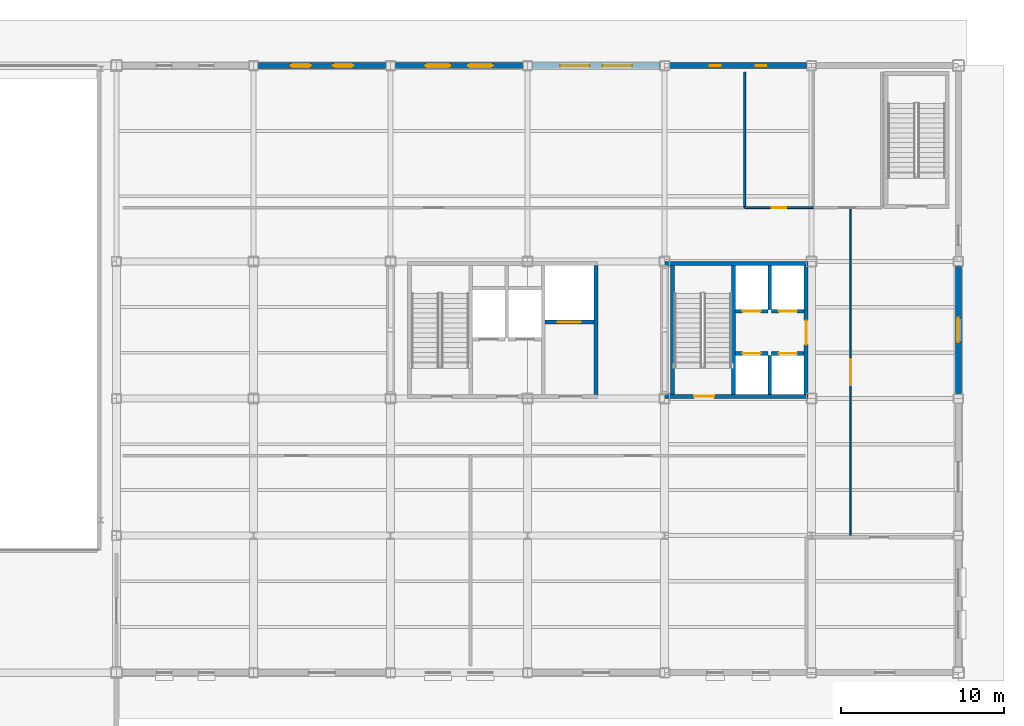
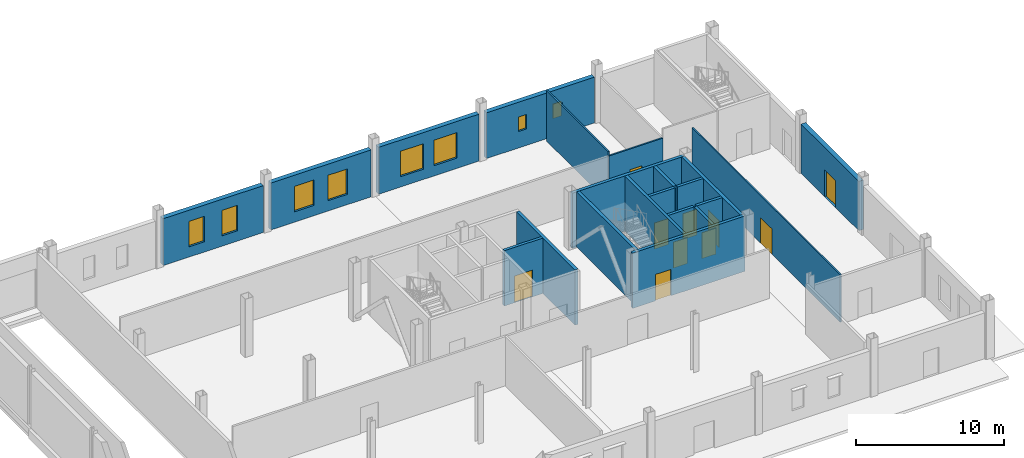
# One storey, part 59 of 82: 21 walls, 10 doors, 8 windows, 18 openings.
"""IFC4 building model written with IfcOpenShell, lengths in metres."""

from ifc_helpers import new_model, si_unit, direction, frame, frame_2d, origin, place, context, subcontext, project, spatial, rectangle, extrude, material, layer, layer_set, type_object, element, fill, save


model = new_model("IFC4")

# Units and contexts
model_context = context("Model", 3, precision=1e-05, world=origin(), true_north=direction((0.0, 1.0)))
body_context = subcontext(model_context, "Body", "Model", "MODEL_VIEW")
ifc_project = project(units=[si_unit("LENGTHUNIT", "METRE"), si_unit("AREAUNIT", "SQUARE_METRE"), si_unit("VOLUMEUNIT", "CUBIC_METRE"), si_unit("PLANEANGLEUNIT", "RADIAN"), si_unit("MASSUNIT", "GRAM", prefix="KILO")], contexts=[model_context])

# Site, building, storey
site_placement = place(None, origin())
site = spatial("IfcSite", under=ifc_project, at=site_placement, CompositionType="ELEMENT")
building_placement = place(site_placement, origin())
building = spatial("IfcBuilding", under=site, at=building_placement, Name="Yukiwa Park Conservatory and Herbarium", CompositionType="ELEMENT")
storey_placement = place(building_placement, origin())
storey = spatial("IfcBuildingStorey", under=building, at=storey_placement, Name="L00", CompositionType="ELEMENT", Elevation=0.0)

# Wall, opening, door
ifc_material_1 = material(Name="Concrete C40", Category="concrete")
ifc_layer_1 = layer(ifc_material_1, 0.219970703125)
ifc_layer_set_1 = layer_set([ifc_layer_1], Name="Concrete C40")
wall_type_1 = type_object("IfcWallType", Name="WL-CORE-RC220", PredefinedType="SHEAR", material=ifc_layer_set_1)
wall_1_placement = place(storey_placement, frame((142.659912109375, 99.489990234375, 0.0), z_axis=(0.0, 0.0, 1.0), x_axis=(1.0, 0.0, 0.0)))
wall_1 = element("IfcWall", 1, at=wall_1_placement, inside=storey, type_object=wall_type_1, Name="L00 core shear wall 81", PredefinedType="SHEAR", context=body_context, shape_type="SweptSolid", body=[
    extrude(rectangle(XDim=3.0, YDim=0.219970703125, at=frame_2d((1.5, 0.0))), origin(), (0.0, 0.0, 1.0), 4.56005859375),
])
opening_1_placement = place(wall_1_placement, frame((0.800048828125, 0.0, 0.0)))
opening_1 = element("IfcOpeningElement", 2, at=opening_1_placement, cuts=wall_1, Name="Opening LD-02", PredefinedType="OPENING", context=body_context, shape_type="SweptSolid", body=[
    extrude(rectangle(XDim=1.39990234375, YDim=2.199951171875, at=frame_2d((0.699951171875, 1.10009765625))), frame((0.0, 0.1201171875, 0.0), z_axis=(0.0, -1.0, 0.0), x_axis=(1.0, 0.0, 0.0)), (0.0, 0.0, 1.0), 0.239990234375),
])
ifc_material_2 = material(Name="Steel Q235B", Category="steel")
door_type_1 = type_object("IfcDoorType", Name="DR-LIFT-LD1400", OperationType="SLIDING_TO_LEFT", PredefinedType="DOOR", material=ifc_material_2)
door_1_placement = place(opening_1_placement, origin())
door_1 = element("IfcDoor", 3, at=door_1_placement, inside=storey, type_object=door_type_1, Name="L00 Goods Lift GL1 sliding landing door", OperationType="SLIDING_TO_LEFT", OverallHeight=2.199951171875, OverallWidth=1.39990234375, PredefinedType="DOOR", context=body_context, shape_type="SweptSolid", body=[
    extrude(rectangle(XDim=1.39990234375, YDim=2.199951171875, at=frame_2d((0.699951171875, 1.10009765625))), frame((0.0, 0.02490234375, 0.0), z_axis=(0.0, -1.0, 0.0), x_axis=(1.0, 0.0, 0.0)), (0.0, 0.0, 1.0), 0.050048828125),
])
fill(opening_1, door_1)

# Walls
wall_2_placement = place(storey_placement, frame((154.219970703125, 95.050048828125, 0.0), z_axis=(0.0, 0.0, 1.0), x_axis=(0.0, 1.0, 0.0)))
element("IfcWall", 4, at=wall_2_placement, inside=storey, type_object=wall_type_1, Name="L00 core shear wall 85", PredefinedType="SHEAR", context=body_context, shape_type="SweptSolid", body=[
    extrude(rectangle(XDim=7.89990234375, YDim=0.219970703125, at=frame_2d((3.949951171875, 0.0))), origin(), (0.0, 0.0, 1.0), 4.56005859375),
])
wall_3_placement = place(storey_placement, frame((156.43994140625, 100.25, 0.0), z_axis=(0.0, 0.0, 1.0), x_axis=(0.0, 1.0, 0.0)))
element("IfcWall", 5, at=wall_3_placement, inside=storey, type_object=wall_type_1, Name="L00 core shear wall 87", PredefinedType="SHEAR", context=body_context, shape_type="SweptSolid", body=[
    extrude(rectangle(XDim=2.699951171875, YDim=0.219970703125, at=frame_2d((1.35009765625, 0.0))), origin(), (0.0, 0.0, 1.0), 4.56005859375),
])

# Wall, opening, door
wall_4_placement = place(storey_placement, frame((154.330078125, 100.139892578125, 0.0), z_axis=(0.0, 0.0, 1.0), x_axis=(1.0, 0.0, 0.0)))
wall_4 = element("IfcWall", 6, at=wall_4_placement, inside=storey, type_object=wall_type_1, Name="L00 core shear wall 88", PredefinedType="SHEAR", context=body_context, shape_type="SweptSolid", body=[
    extrude(rectangle(XDim=2.0, YDim=0.219970703125, at=frame_2d((1.0, 0.0))), origin(), (0.0, 0.0, 1.0), 4.56005859375),
])
opening_2_placement = place(wall_4_placement, frame((0.449951171875, 0.0, 0.0)))
opening_2 = element("IfcOpeningElement", 7, at=opening_2_placement, cuts=wall_4, Name="Opening LD-01", PredefinedType="OPENING", context=body_context, shape_type="SweptSolid", body=[
    extrude(rectangle(XDim=1.10009765625, YDim=2.14990234375, at=frame_2d((0.550048828125, 1.074951171875))), frame((0.0, 0.1201171875, 0.0), z_axis=(0.0, -1.0, 0.0), x_axis=(1.0, 0.0, 0.0)), (0.0, 0.0, 1.0), 0.239990234375),
])
ifc_material_3 = material(Name="Steel Q235B", Category="steel")
door_type_2 = type_object("IfcDoorType", Name="DR-LIFT-LD1100", OperationType="SLIDING_TO_LEFT", PredefinedType="DOOR", material=ifc_material_3)
door_2_placement = place(opening_2_placement, origin())
door_2 = element("IfcDoor", 8, at=door_2_placement, inside=storey, type_object=door_type_2, Name="L00 Passenger Lift LP1 sliding landing door", OperationType="SLIDING_TO_LEFT", OverallHeight=2.14990234375, OverallWidth=1.10009765625, PredefinedType="DOOR", context=body_context, shape_type="SweptSolid", body=[
    extrude(rectangle(XDim=1.10009765625, YDim=2.14990234375, at=frame_2d((0.550048828125, 1.074951171875))), frame((0.0, 0.02490234375, 0.0), z_axis=(0.0, -1.0, 0.0), x_axis=(1.0, 0.0, 0.0)), (0.0, 0.0, 1.0), 0.050048828125),
])
fill(opening_2, door_2)

wall_5_placement = place(storey_placement, frame((156.550048828125, 100.139892578125, 0.0), z_axis=(0.0, 0.0, 1.0), x_axis=(1.0, 0.0, 0.0)))
wall_5 = element("IfcWall", 9, at=wall_5_placement, inside=storey, type_object=wall_type_1, Name="L00 core shear wall 89", PredefinedType="SHEAR", context=body_context, shape_type="SweptSolid", body=[
    extrude(rectangle(XDim=2.0, YDim=0.219970703125, at=frame_2d((1.0, 0.0))), origin(), (0.0, 0.0, 1.0), 4.56005859375),
])
opening_3_placement = place(wall_5_placement, frame((0.449951171875, 0.0, 0.0)))
opening_3 = element("IfcOpeningElement", 10, at=opening_3_placement, cuts=wall_5, Name="Opening LD-01", PredefinedType="OPENING", context=body_context, shape_type="SweptSolid", body=[
    extrude(rectangle(XDim=1.10009765625, YDim=2.14990234375, at=frame_2d((0.550048828125, 1.074951171875))), frame((0.0, 0.1201171875, 0.0), z_axis=(0.0, -1.0, 0.0), x_axis=(1.0, 0.0, 0.0)), (0.0, 0.0, 1.0), 0.239990234375),
])
door_3_placement = place(opening_3_placement, origin())
door_3 = element("IfcDoor", 11, at=door_3_placement, inside=storey, type_object=door_type_2, Name="L00 Passenger Lift LP2 sliding landing door", OperationType="SLIDING_TO_LEFT", OverallHeight=2.14990234375, OverallWidth=1.10009765625, PredefinedType="DOOR", context=body_context, shape_type="SweptSolid", body=[
    extrude(rectangle(XDim=1.10009765625, YDim=2.14990234375, at=frame_2d((0.550048828125, 1.074951171875))), frame((0.0, 0.02490234375, 0.0), z_axis=(0.0, -1.0, 0.0), x_axis=(1.0, 0.0, 0.0)), (0.0, 0.0, 1.0), 0.050048828125),
])
fill(opening_3, door_3)

# Wall
wall_6_placement = place(storey_placement, frame((156.43994140625, 95.050048828125, 0.0), z_axis=(0.0, 0.0, 1.0), x_axis=(0.0, 1.0, 0.0)))
element("IfcWall", 12, at=wall_6_placement, inside=storey, type_object=wall_type_1, Name="L00 core shear wall 90", PredefinedType="SHEAR", context=body_context, shape_type="SweptSolid", body=[
    extrude(rectangle(XDim=2.39990234375, YDim=0.219970703125, at=frame_2d((1.199951171875, 0.0))), origin(), (0.0, 0.0, 1.0), 4.56005859375),
])

# Wall, opening, door
wall_7_placement = place(storey_placement, frame((154.330078125, 97.56005859375, 0.0), z_axis=(0.0, 0.0, 1.0), x_axis=(1.0, 0.0, 0.0)))
wall_7 = element("IfcWall", 13, at=wall_7_placement, inside=storey, type_object=wall_type_1, Name="L00 core shear wall 91", PredefinedType="SHEAR", context=body_context, shape_type="SweptSolid", body=[
    extrude(rectangle(XDim=2.0, YDim=0.219970703125, at=frame_2d((1.0, 0.0))), origin(), (0.0, 0.0, 1.0), 4.56005859375),
])
opening_4_placement = place(wall_7_placement, frame((0.449951171875, 0.0, 0.0)))
opening_4 = element("IfcOpeningElement", 14, at=opening_4_placement, cuts=wall_7, Name="Opening LD-01", PredefinedType="OPENING", context=body_context, shape_type="SweptSolid", body=[
    extrude(rectangle(XDim=1.10009765625, YDim=2.14990234375, at=frame_2d((0.550048828125, 1.074951171875))), frame((0.0, 0.1201171875, 0.0), z_axis=(0.0, -1.0, 0.0), x_axis=(1.0, 0.0, 0.0)), (0.0, 0.0, 1.0), 0.239990234375),
])
door_4_placement = place(opening_4_placement, origin())
door_4 = element("IfcDoor", 15, at=door_4_placement, inside=storey, type_object=door_type_2, Name="L00 Passenger Lift LP3 sliding landing door", OperationType="SLIDING_TO_LEFT", OverallHeight=2.14990234375, OverallWidth=1.10009765625, PredefinedType="DOOR", context=body_context, shape_type="SweptSolid", body=[
    extrude(rectangle(XDim=1.10009765625, YDim=2.14990234375, at=frame_2d((0.550048828125, 1.074951171875))), frame((0.0, 0.02490234375, 0.0), z_axis=(0.0, -1.0, 0.0), x_axis=(1.0, 0.0, 0.0)), (0.0, 0.0, 1.0), 0.050048828125),
])
fill(opening_4, door_4)

wall_8_placement = place(storey_placement, frame((156.550048828125, 97.56005859375, 0.0), z_axis=(0.0, 0.0, 1.0), x_axis=(1.0, 0.0, 0.0)))
wall_8 = element("IfcWall", 16, at=wall_8_placement, inside=storey, type_object=wall_type_1, Name="L00 core shear wall 92", PredefinedType="SHEAR", context=body_context, shape_type="SweptSolid", body=[
    extrude(rectangle(XDim=2.0, YDim=0.219970703125, at=frame_2d((1.0, 0.0))), origin(), (0.0, 0.0, 1.0), 4.56005859375),
])
opening_5_placement = place(wall_8_placement, frame((0.449951171875, 0.0, 0.0)))
opening_5 = element("IfcOpeningElement", 17, at=opening_5_placement, cuts=wall_8, Name="Opening LD-01", PredefinedType="OPENING", context=body_context, shape_type="SweptSolid", body=[
    extrude(rectangle(XDim=1.10009765625, YDim=2.14990234375, at=frame_2d((0.550048828125, 1.074951171875))), frame((0.0, 0.1201171875, 0.0), z_axis=(0.0, -1.0, 0.0), x_axis=(1.0, 0.0, 0.0)), (0.0, 0.0, 1.0), 0.239990234375),
])
door_5_placement = place(opening_5_placement, origin())
door_5 = element("IfcDoor", 18, at=door_5_placement, inside=storey, type_object=door_type_2, Name="L00 Passenger Lift LP4 sliding landing door", OperationType="SLIDING_TO_LEFT", OverallHeight=2.14990234375, OverallWidth=1.10009765625, PredefinedType="DOOR", context=body_context, shape_type="SweptSolid", body=[
    extrude(rectangle(XDim=1.10009765625, YDim=2.14990234375, at=frame_2d((0.550048828125, 1.074951171875))), frame((0.0, 0.02490234375, 0.0), z_axis=(0.0, -1.0, 0.0), x_axis=(1.0, 0.0, 0.0)), (0.0, 0.0, 1.0), 0.050048828125),
])
fill(opening_5, door_5)

# Wall
ifc_material_4 = material(Name="Concrete C50", Category="concrete")
ifc_layer_2 = layer(ifc_material_4, 0.239990234375)
ifc_layer_set_2 = layer_set([ifc_layer_2], Name="Concrete C50")
wall_type_2 = type_object("IfcWallType", Name="WL-CORE-RC240", PredefinedType="SHEAR", material=ifc_layer_set_2)
wall_9_placement = place(storey_placement, frame((145.780029296875, 95.050048828125, 0.0), z_axis=(0.0, 0.0, 1.0), x_axis=(0.0, 1.0, 0.0)))
element("IfcWall", 19, at=wall_9_placement, inside=storey, type_object=wall_type_2, Name="L00 core shear wall 76", PredefinedType="SHEAR", context=body_context, shape_type="SweptSolid", body=[
    extrude(rectangle(XDim=7.89990234375, YDim=0.239990234375, at=frame_2d((3.949951171875, 0.0))), origin(), (0.0, 0.0, 1.0), 4.56005859375),
])

# Wall, opening, door
wall_10_placement = place(storey_placement, frame((150.02001953125, 94.929931640625, 0.0), z_axis=(0.0, 0.0, 1.0), x_axis=(1.0, 0.0, 0.0)))
wall_10 = element("IfcWall", 20, at=wall_10_placement, inside=storey, type_object=wall_type_2, Name="L00 core shear wall 82", PredefinedType="SHEAR", context=body_context, shape_type="SweptSolid", body=[
    extrude(rectangle(XDim=8.77001953125, YDim=0.239990234375, at=frame_2d((4.385009765625, 0.0))), origin(), (0.0, 0.0, 1.0), 4.56005859375),
])
opening_6_placement = place(wall_10_placement, frame((1.7900390625, 0.0, 0.0)))
opening_6 = element("IfcOpeningElement", 21, at=opening_6_placement, cuts=wall_10, Name="Opening SD-01", PredefinedType="OPENING", context=body_context, shape_type="SweptSolid", body=[
    extrude(rectangle(XDim=1.219970703125, YDim=2.179931640625, at=frame_2d((0.60986328125, 1.08984375))), frame((0.0, 0.1298828125, 0.0), z_axis=(0.0, -1.0, 0.0), x_axis=(1.0, 0.0, 0.0)), (0.0, 0.0, 1.0), 0.260009765625),
])
ifc_material_5 = material(Name="Steel Q235B", Category="steel")
door_type_3 = type_object("IfcDoorType", Name="DR-STAIR-FD90-1200", OperationType="SINGLE_SWING_LEFT", PredefinedType="DOOR", material=ifc_material_5)
door_6_placement = place(opening_6_placement, origin())
door_6 = element("IfcDoor", 22, at=door_6_placement, inside=storey, type_object=door_type_3, Name="L00 Stairwell ST-T2 fire door", OperationType="SINGLE_SWING_LEFT", OverallHeight=2.179931640625, OverallWidth=1.219970703125, PredefinedType="DOOR", context=body_context, shape_type="SweptSolid", body=[
    extrude(rectangle(XDim=1.219970703125, YDim=2.179931640625, at=frame_2d((0.60986328125, 1.08984375))), frame((0.0, 0.02490234375, 0.0), z_axis=(0.0, -1.0, 0.0), x_axis=(1.0, 0.0, 0.0)), (0.0, 0.0, 1.0), 0.050048828125),
])
fill(opening_6, door_6)

# Walls
wall_11_placement = place(storey_placement, frame((150.02001953125, 103.070068359375, 0.0), z_axis=(0.0, 0.0, 1.0), x_axis=(1.0, 0.0, 0.0)))
element("IfcWall", 23, at=wall_11_placement, inside=storey, type_object=wall_type_2, Name="L00 core shear wall 83", PredefinedType="SHEAR", context=body_context, shape_type="SweptSolid", body=[
    extrude(rectangle(XDim=8.77001953125, YDim=0.239990234375, at=frame_2d((4.385009765625, 0.0))), origin(), (0.0, 0.0, 1.0), 4.56005859375),
])
wall_12_placement = place(storey_placement, frame((150.47998046875, 95.050048828125, 0.0), z_axis=(0.0, 0.0, 1.0), x_axis=(0.0, 1.0, 0.0)))
element("IfcWall", 24, at=wall_12_placement, inside=storey, type_object=wall_type_2, Name="L00 core shear wall 84", PredefinedType="SHEAR", context=body_context, shape_type="SweptSolid", body=[
    extrude(rectangle(XDim=7.89990234375, YDim=0.239990234375, at=frame_2d((3.949951171875, 0.0))), origin(), (0.0, 0.0, 1.0), 4.56005859375),
])

# Wall, opening, door
wall_13_placement = place(storey_placement, frame((158.669921875, 95.050048828125, 0.0), z_axis=(0.0, 0.0, 1.0), x_axis=(0.0, 1.0, 0.0)))
wall_13 = element("IfcWall", 25, at=wall_13_placement, inside=storey, type_object=wall_type_2, Name="L00 core shear wall 86", PredefinedType="SHEAR", context=body_context, shape_type="SweptSolid", body=[
    extrude(rectangle(XDim=7.89990234375, YDim=0.239990234375, at=frame_2d((3.949951171875, 0.0))), origin(), (0.0, 0.0, 1.0), 4.56005859375),
])
opening_7_placement = place(wall_13_placement, frame((3.050048828125, 0.0, 0.0)))
opening_7 = element("IfcOpeningElement", 26, at=opening_7_placement, cuts=wall_13, Name="Opening FD-07", PredefinedType="OPENING", context=body_context, shape_type="SweptSolid", body=[
    extrude(rectangle(XDim=1.47998046875, YDim=2.219970703125, at=frame_2d((0.739990234375, 1.10986328125))), frame((0.0, 0.1298828125, 0.0), z_axis=(0.0, -1.0, 0.0), x_axis=(1.0, 0.0, 0.0)), (0.0, 0.0, 1.0), 0.260009765625),
])
ifc_material_6 = material(Name="Steel Q235B", Category="steel")
door_type_4 = type_object("IfcDoorType", Name="DR-FIRE-FD60-1500", OperationType="DOUBLE_DOOR_SINGLE_SWING", PredefinedType="DOOR", material=ifc_material_6)
door_7_placement = place(opening_7_placement, origin())
door_7 = element("IfcDoor", 27, at=door_7_placement, inside=storey, type_object=door_type_4, Name="L00 Tower Passenger Lift Lobby double fire door", OperationType="DOUBLE_DOOR_SINGLE_SWING", OverallHeight=2.219970703125, OverallWidth=1.47998046875, PredefinedType="DOOR", context=body_context, shape_type="SweptSolid", body=[
    extrude(rectangle(XDim=1.47998046875, YDim=2.219970703125, at=frame_2d((0.739990234375, 1.10986328125))), frame((0.0, 0.02490234375, 0.0), z_axis=(0.0, -1.0, 0.0), x_axis=(1.0, 0.0, 0.0)), (0.0, 0.0, 1.0), 0.050048828125),
])
fill(opening_7, door_7)

ifc_material_7 = material(Name="Pale Granite Cladding", Category="masonry")
ifc_layer_3 = layer(ifc_material_7, 0.360107421875)
ifc_layer_set_3 = layer_set([ifc_layer_3], Name="Pale Granite Cladding")
wall_type_3 = type_object("IfcWallType", Name="WL-EXT-PLINTH-360", PredefinedType="SOLIDWALL", material=ifc_layer_set_3)
wall_14_placement = place(storey_placement, frame((168.0, 95.10009765625, 0.0), z_axis=(0.0, 0.0, 1.0), x_axis=(0.0, 1.0, 0.0)))
wall_14 = element("IfcWall", 28, at=wall_14_placement, inside=storey, type_object=wall_type_3, Name="L00 exterior envelope wall 109", PredefinedType="SOLIDWALL", context=body_context, shape_type="SweptSolid", body=[
    extrude(rectangle(XDim=7.7998046875, YDim=0.360107421875, at=frame_2d((3.89990234375, 0.0))), origin(), (0.0, 0.0, 1.0), 4.06005859375),
])
opening_8_placement = place(wall_14_placement, frame((3.14990234375, 0.0, 0.0)))
opening_8 = element("IfcOpeningElement", 29, at=opening_8_placement, cuts=wall_14, Name="Opening EX-D3", PredefinedType="OPENING", context=body_context, shape_type="SweptSolid", body=[
    extrude(rectangle(XDim=1.5, YDim=2.199951171875, at=frame_2d((0.75, 1.10009765625))), frame((0.0, 0.18994140625, 0.0), z_axis=(0.0, -1.0, 0.0), x_axis=(1.0, 0.0, 0.0)), (0.0, 0.0, 1.0), 0.380126953125),
])
ifc_material_8 = material(Name="Steel Q235B", Category="steel")
door_type_5 = type_object("IfcDoorType", Name="DR-EXT-1500X2200", OperationType="DOUBLE_DOOR_SINGLE_SWING", PredefinedType="DOOR", material=ifc_material_8)
door_8_placement = place(opening_8_placement, frame((1.5, 0.0, 0.0), z_axis=(0.0, 0.0, 1.0), x_axis=(-1.0, 0.0, 0.0)))
door_8 = element("IfcDoor", 30, at=door_8_placement, inside=storey, type_object=door_type_5, Name="Research Tower East reception exit EX-24", OperationType="DOUBLE_DOOR_SINGLE_SWING", OverallHeight=2.199951171875, OverallWidth=1.5, PredefinedType="DOOR", context=body_context, shape_type="SweptSolid", body=[
    extrude(rectangle(XDim=1.5, YDim=2.199951171875, at=frame_2d((0.75, 1.10009765625))), frame((0.0, 0.02490234375, 0.0), z_axis=(0.0, -1.0, 0.0), x_axis=(1.0, 0.0, 0.0)), (0.0, 0.0, 1.0), 0.050048828125),
])
fill(opening_8, door_8)

# Wall, openings, windows
wall_15_placement = place(storey_placement, frame((158.699951171875, 115.199951171875, 0.0), z_axis=(0.0, 0.0, 1.0), x_axis=(-1.0, 0.0, 0.0)))
wall_15 = element("IfcWall", 31, at=wall_15_placement, inside=storey, type_object=wall_type_3, Name="L00 exterior envelope wall 112", PredefinedType="SOLIDWALL", context=body_context, shape_type="SweptSolid", body=[
    extrude(rectangle(XDim=8.39990234375, YDim=0.360107421875, at=frame_2d((4.199951171875, 0.0))), origin(), (0.0, 0.0, 1.0), 3.76806640625),
])
opening_9_placement = place(wall_15_placement, frame((2.47509765625, 0.0, 1.35009765625)))
opening_9 = element("IfcOpeningElement", 32, at=opening_9_placement, cuts=wall_15, Name="Opening W-19", PredefinedType="OPENING", context=body_context, shape_type="SweptSolid", body=[
    extrude(rectangle(XDim=0.64990234375, YDim=1.199951171875, at=frame_2d((0.324951171875, 0.60009765625))), frame((0.0, 0.18994140625, 0.0), z_axis=(0.0, -1.0, 0.0), x_axis=(1.0, 0.0, 0.0)), (0.0, 0.0, 1.0), 0.380126953125),
])
opening_10_placement = place(wall_15_placement, frame((5.27490234375, 0.0, 1.35009765625)))
opening_10 = element("IfcOpeningElement", 33, at=opening_10_placement, cuts=wall_15, Name="Opening W-19", PredefinedType="OPENING", context=body_context, shape_type="SweptSolid", body=[
    extrude(rectangle(XDim=0.64990234375, YDim=1.199951171875, at=frame_2d((0.324951171875, 0.60009765625))), frame((0.0, 0.18994140625, 0.0), z_axis=(0.0, -1.0, 0.0), x_axis=(1.0, 0.0, 0.0)), (0.0, 0.0, 1.0), 0.380126953125),
])
ifc_material_9 = material(Name="Triple Low-E Insulated Glass", Category="glass")
window_type_1 = type_object("IfcWindowType", Name="WN-WC-0650X1200", PartitioningType="SINGLE_PANEL", PredefinedType="WINDOW", material=ifc_material_9)
window_1_placement = place(opening_9_placement, origin())
window_1 = element("IfcWindow", 34, at=window_1_placement, inside=storey, type_object=window_type_1, Name="L00 deep-reveal triple-glazed window 13", OverallHeight=1.199951171875, OverallWidth=0.64990234375, PartitioningType="SINGLE_PANEL", PredefinedType="WINDOW", context=body_context, shape_type="SweptSolid", body=[
    extrude(rectangle(XDim=0.64990234375, YDim=1.199951171875, at=frame_2d((0.324951171875, 0.60009765625))), frame((0.0, 0.030029296875, 0.0), z_axis=(0.0, -1.0, 0.0), x_axis=(1.0, 0.0, 0.0)), (0.0, 0.0, 1.0), 0.06005859375),
])
fill(opening_9, window_1)
window_2_placement = place(opening_10_placement, origin())
window_2 = element("IfcWindow", 35, at=window_2_placement, inside=storey, type_object=window_type_1, Name="L00 deep-reveal triple-glazed window 14", OverallHeight=1.199951171875, OverallWidth=0.64990234375, PartitioningType="SINGLE_PANEL", PredefinedType="WINDOW", context=body_context, shape_type="SweptSolid", body=[
    extrude(rectangle(XDim=0.64990234375, YDim=1.199951171875, at=frame_2d((0.324951171875, 0.60009765625))), frame((0.0, 0.030029296875, 0.0), z_axis=(0.0, -1.0, 0.0), x_axis=(1.0, 0.0, 0.0)), (0.0, 0.0, 1.0), 0.06005859375),
])
fill(opening_10, window_2)

wall_16_placement = place(storey_placement, frame((149.699951171875, 115.199951171875, 0.0), z_axis=(0.0, 0.0, 1.0), x_axis=(-1.0, 0.0, 0.0)))
wall_16 = element("IfcWall", 36, at=wall_16_placement, inside=storey, type_object=wall_type_3, Name="L00 exterior envelope wall 113", PredefinedType="SOLIDWALL", context=body_context, shape_type="SweptSolid", body=[
    extrude(rectangle(XDim=7.800048828125, YDim=0.360107421875, at=frame_2d((3.89990234375, 0.0))), origin(), (0.0, 0.0, 1.0), 3.867919921875),
])
opening_11_placement = place(wall_16_placement, frame((1.699951171875, 0.0, 0.85009765625)))
opening_11 = element("IfcOpeningElement", 37, at=opening_11_placement, cuts=wall_16, Name="Opening W-07", PredefinedType="OPENING", context=body_context, shape_type="SweptSolid", body=[
    extrude(rectangle(XDim=1.800048828125, YDim=2.10009765625, at=frame_2d((0.89990234375, 1.050048828125))), frame((0.0, 0.18994140625, 0.0), z_axis=(0.0, -1.0, 0.0), x_axis=(1.0, 0.0, 0.0)), (0.0, 0.0, 1.0), 0.380126953125),
])
opening_12_placement = place(wall_16_placement, frame((4.300048828125, 0.0, 0.85009765625)))
opening_12 = element("IfcOpeningElement", 38, at=opening_12_placement, cuts=wall_16, Name="Opening W-07", PredefinedType="OPENING", context=body_context, shape_type="SweptSolid", body=[
    extrude(rectangle(XDim=1.800048828125, YDim=2.10009765625, at=frame_2d((0.89990234375, 1.050048828125))), frame((0.0, 0.18994140625, 0.0), z_axis=(0.0, -1.0, 0.0), x_axis=(1.0, 0.0, 0.0)), (0.0, 0.0, 1.0), 0.380126953125),
])
ifc_material_10 = material(Name="Triple Low-E Insulated Glass", Category="glass")
window_type_2 = type_object("IfcWindowType", Name="WN-TW-1800X2100", PartitioningType="SINGLE_PANEL", PredefinedType="WINDOW", material=ifc_material_10)
window_3_placement = place(opening_11_placement, origin())
window_3 = element("IfcWindow", 39, at=window_3_placement, inside=storey, type_object=window_type_2, Name="L00 deep-reveal triple-glazed window 15", OverallHeight=2.10009765625, OverallWidth=1.800048828125, PartitioningType="SINGLE_PANEL", PredefinedType="WINDOW", context=body_context, shape_type="SweptSolid", body=[
    extrude(rectangle(XDim=1.800048828125, YDim=2.10009765625, at=frame_2d((0.89990234375, 1.050048828125))), frame((0.0, 0.030029296875, 0.0), z_axis=(0.0, -1.0, 0.0), x_axis=(1.0, 0.0, 0.0)), (0.0, 0.0, 1.0), 0.06005859375),
])
fill(opening_11, window_3)
window_4_placement = place(opening_12_placement, origin())
window_4 = element("IfcWindow", 40, at=window_4_placement, inside=storey, type_object=window_type_2, Name="L00 deep-reveal triple-glazed window 16", OverallHeight=2.10009765625, OverallWidth=1.800048828125, PartitioningType="SINGLE_PANEL", PredefinedType="WINDOW", context=body_context, shape_type="SweptSolid", body=[
    extrude(rectangle(XDim=1.800048828125, YDim=2.10009765625, at=frame_2d((0.89990234375, 1.050048828125))), frame((0.0, 0.030029296875, 0.0), z_axis=(0.0, -1.0, 0.0), x_axis=(1.0, 0.0, 0.0)), (0.0, 0.0, 1.0), 0.06005859375),
])
fill(opening_12, window_4)

wall_17_placement = place(storey_placement, frame((141.300048828125, 115.199951171875, 0.0), z_axis=(0.0, 0.0, 1.0), x_axis=(-1.0, 0.0, 0.0)))
wall_17 = element("IfcWall", 41, at=wall_17_placement, inside=storey, type_object=wall_type_3, Name="L00 exterior envelope wall 114", PredefinedType="SOLIDWALL", context=body_context, shape_type="SweptSolid", body=[
    extrude(rectangle(XDim=7.800048828125, YDim=0.360107421875, at=frame_2d((3.89990234375, 0.0))), origin(), (0.0, 0.0, 1.0), 3.867919921875),
])
opening_13_placement = place(wall_17_placement, frame((1.85009765625, 0.0, 0.85009765625)))
opening_13 = element("IfcOpeningElement", 42, at=opening_13_placement, cuts=wall_17, Name="Opening W-05", PredefinedType="OPENING", context=body_context, shape_type="SweptSolid", body=[
    extrude(rectangle(XDim=1.5, YDim=2.10009765625, at=frame_2d((0.75, 1.050048828125))), frame((0.0, 0.18994140625, 0.0), z_axis=(0.0, -1.0, 0.0), x_axis=(1.0, 0.0, 0.0)), (0.0, 0.0, 1.0), 0.380126953125),
])
opening_14_placement = place(wall_17_placement, frame((4.449951171875, 0.0, 0.85009765625)))
opening_14 = element("IfcOpeningElement", 43, at=opening_14_placement, cuts=wall_17, Name="Opening W-05", PredefinedType="OPENING", context=body_context, shape_type="SweptSolid", body=[
    extrude(rectangle(XDim=1.5, YDim=2.10009765625, at=frame_2d((0.75, 1.050048828125))), frame((0.0, 0.18994140625, 0.0), z_axis=(0.0, -1.0, 0.0), x_axis=(1.0, 0.0, 0.0)), (0.0, 0.0, 1.0), 0.380126953125),
])
ifc_material_11 = material(Name="Triple Low-E Insulated Glass", Category="glass")
window_type_3 = type_object("IfcWindowType", Name="WN-TW-1500X2100", PartitioningType="SINGLE_PANEL", PredefinedType="WINDOW", material=ifc_material_11)
window_5_placement = place(opening_13_placement, origin())
window_5 = element("IfcWindow", 44, at=window_5_placement, inside=storey, type_object=window_type_3, Name="L00 deep-reveal triple-glazed window 17", OverallHeight=2.10009765625, OverallWidth=1.5, PartitioningType="SINGLE_PANEL", PredefinedType="WINDOW", context=body_context, shape_type="SweptSolid", body=[
    extrude(rectangle(XDim=1.5, YDim=2.10009765625, at=frame_2d((0.75, 1.050048828125))), frame((0.0, 0.030029296875, 0.0), z_axis=(0.0, -1.0, 0.0), x_axis=(1.0, 0.0, 0.0)), (0.0, 0.0, 1.0), 0.06005859375),
])
fill(opening_13, window_5)
window_6_placement = place(opening_14_placement, origin())
window_6 = element("IfcWindow", 45, at=window_6_placement, inside=storey, type_object=window_type_3, Name="L00 deep-reveal triple-glazed window 18", OverallHeight=2.10009765625, OverallWidth=1.5, PartitioningType="SINGLE_PANEL", PredefinedType="WINDOW", context=body_context, shape_type="SweptSolid", body=[
    extrude(rectangle(XDim=1.5, YDim=2.10009765625, at=frame_2d((0.75, 1.050048828125))), frame((0.0, 0.030029296875, 0.0), z_axis=(0.0, -1.0, 0.0), x_axis=(1.0, 0.0, 0.0)), (0.0, 0.0, 1.0), 0.06005859375),
])
fill(opening_14, window_6)

wall_18_placement = place(storey_placement, frame((132.89990234375, 115.199951171875, 0.0), z_axis=(0.0, 0.0, 1.0), x_axis=(-1.0, 0.0, 0.0)))
wall_18 = element("IfcWall", 46, at=wall_18_placement, inside=storey, type_object=wall_type_3, Name="L00 exterior envelope wall 115", PredefinedType="SOLIDWALL", context=body_context, shape_type="SweptSolid", body=[
    extrude(rectangle(XDim=7.7998046875, YDim=0.360107421875, at=frame_2d((3.89990234375, 0.0))), origin(), (0.0, 0.0, 1.0), 3.867919921875),
])
opening_15_placement = place(wall_18_placement, frame((2.0, 0.0, 0.85009765625)))
opening_15 = element("IfcOpeningElement", 47, at=opening_15_placement, cuts=wall_18, Name="Opening W-03", PredefinedType="OPENING", context=body_context, shape_type="SweptSolid", body=[
    extrude(rectangle(XDim=1.199951171875, YDim=2.10009765625, at=frame_2d((0.60009765625, 1.050048828125))), frame((0.0, 0.18994140625, 0.0), z_axis=(0.0, -1.0, 0.0), x_axis=(1.0, 0.0, 0.0)), (0.0, 0.0, 1.0), 0.380126953125),
])
opening_16_placement = place(wall_18_placement, frame((4.60009765625, 0.0, 0.85009765625)))
opening_16 = element("IfcOpeningElement", 48, at=opening_16_placement, cuts=wall_18, Name="Opening W-03", PredefinedType="OPENING", context=body_context, shape_type="SweptSolid", body=[
    extrude(rectangle(XDim=1.199951171875, YDim=2.10009765625, at=frame_2d((0.60009765625, 1.050048828125))), frame((0.0, 0.18994140625, 0.0), z_axis=(0.0, -1.0, 0.0), x_axis=(1.0, 0.0, 0.0)), (0.0, 0.0, 1.0), 0.380126953125),
])
ifc_material_12 = material(Name="Triple Low-E Insulated Glass", Category="glass")
window_type_4 = type_object("IfcWindowType", Name="WN-TW-1200X2100", PartitioningType="SINGLE_PANEL", PredefinedType="WINDOW", material=ifc_material_12)
window_7_placement = place(opening_15_placement, origin())
window_7 = element("IfcWindow", 49, at=window_7_placement, inside=storey, type_object=window_type_4, Name="L00 deep-reveal triple-glazed window 19", OverallHeight=2.10009765625, OverallWidth=1.199951171875, PartitioningType="SINGLE_PANEL", PredefinedType="WINDOW", context=body_context, shape_type="SweptSolid", body=[
    extrude(rectangle(XDim=1.199951171875, YDim=2.10009765625, at=frame_2d((0.60009765625, 1.050048828125))), frame((0.0, 0.030029296875, 0.0), z_axis=(0.0, -1.0, 0.0), x_axis=(1.0, 0.0, 0.0)), (0.0, 0.0, 1.0), 0.06005859375),
])
fill(opening_15, window_7)
window_8_placement = place(opening_16_placement, origin())
window_8 = element("IfcWindow", 50, at=window_8_placement, inside=storey, type_object=window_type_4, Name="L00 deep-reveal triple-glazed window 20", OverallHeight=2.10009765625, OverallWidth=1.199951171875, PartitioningType="SINGLE_PANEL", PredefinedType="WINDOW", context=body_context, shape_type="SweptSolid", body=[
    extrude(rectangle(XDim=1.199951171875, YDim=2.10009765625, at=frame_2d((0.60009765625, 1.050048828125))), frame((0.0, 0.030029296875, 0.0), z_axis=(0.0, -1.0, 0.0), x_axis=(1.0, 0.0, 0.0)), (0.0, 0.0, 1.0), 0.06005859375),
])
fill(opening_16, window_8)

# Wall, opening, door
ifc_material_13 = material(Name="Laminated Tempered Safety Glass", Category="glass")
ifc_layer_4 = layer(ifc_material_13, 0.10009765625)
ifc_layer_set_4 = layer_set([ifc_layer_4], Name="Laminated Tempered Safety Glass")
wall_type_4 = type_object("IfcWallType", Name="WL-PART-GLZ-150", PredefinedType="PARTITIONING", material=ifc_layer_set_4)
wall_19_placement = place(storey_placement, frame((161.39990234375, 86.39990234375, 0.0), z_axis=(0.0, 0.0, 1.0), x_axis=(0.0, 1.0, 0.0)))
wall_19 = element("IfcWall", 51, at=wall_19_placement, inside=storey, type_object=wall_type_4, Name="L00 interior partition wall 157", PredefinedType="PARTITIONING", context=body_context, shape_type="SweptSolid", body=[
    extrude(rectangle(XDim=20.0, YDim=0.10009765625, at=frame_2d((10.0, 0.0))), origin(), (0.0, 0.0, 1.0), 3.909912109375),
])
opening_17_placement = place(wall_19_placement, frame((9.199951171875, 0.0, 0.0)))
opening_17 = element("IfcOpeningElement", 52, at=opening_17_placement, cuts=wall_19, Name="Opening GD-16", PredefinedType="OPENING", context=body_context, shape_type="SweptSolid", body=[
    extrude(rectangle(XDim=1.60009765625, YDim=2.10009765625, at=frame_2d((0.800048828125, 1.050048828125))), frame((0.0, 0.06005859375, 0.0), z_axis=(0.0, -1.0, 0.0), x_axis=(1.0, 0.0, 0.0)), (0.0, 0.0, 1.0), 0.1201171875),
])
ifc_material_14 = material(Name="Laminated Tempered Safety Glass", Category="glass")
door_type_6 = type_object("IfcDoorType", Name="DR-GLZ-1600", OperationType="DOUBLE_DOOR_SINGLE_SWING", PredefinedType="DOOR", material=ifc_material_14)
door_9_placement = place(opening_17_placement, origin())
door_9 = element("IfcDoor", 53, at=door_9_placement, inside=storey, type_object=door_type_6, Name="L00 Tower East Entrance Reception portal", OperationType="DOUBLE_DOOR_SINGLE_SWING", OverallHeight=2.10009765625, OverallWidth=1.60009765625, PredefinedType="DOOR", context=body_context, shape_type="SweptSolid", body=[
    extrude(rectangle(XDim=1.60009765625, YDim=2.10009765625, at=frame_2d((0.800048828125, 1.050048828125))), frame((0.0, 0.02490234375, 0.0), z_axis=(0.0, -1.0, 0.0), x_axis=(1.0, 0.0, 0.0)), (0.0, 0.0, 1.0), 0.050048828125),
])
fill(opening_17, door_9)

ifc_material_15 = material(Name="Gypsum Board Partition", Category="gypsum")
ifc_layer_5 = layer(ifc_material_15, 0.1201171875)
ifc_layer_set_5 = layer_set([ifc_layer_5], Name="Gypsum Board Partition")
wall_type_5 = type_object("IfcWallType", Name="WL-PART-WET-150", PredefinedType="PARTITIONING", material=ifc_layer_set_5)
wall_20_placement = place(storey_placement, frame((154.89990234375, 106.5, 0.0), z_axis=(0.0, 0.0, 1.0), x_axis=(1.0, 0.0, 0.0)))
wall_20 = element("IfcWall", 54, at=wall_20_placement, inside=storey, type_object=wall_type_5, Name="L00 interior partition wall 159", PredefinedType="PARTITIONING", context=body_context, shape_type="SweptSolid", body=[
    extrude(rectangle(XDim=4.2001953125, YDim=0.1201171875, at=frame_2d((2.10009765625, 0.0))), origin(), (0.0, 0.0, 1.0), 3.81005859375),
])
opening_18_placement = place(wall_20_placement, frame((1.64990234375, 0.0, 0.0)))
opening_18 = element("IfcOpeningElement", 55, at=opening_18_placement, cuts=wall_20, Name="Opening ID-09", PredefinedType="OPENING", context=body_context, shape_type="SweptSolid", body=[
    extrude(rectangle(XDim=0.89990234375, YDim=2.10009765625, at=frame_2d((0.449951171875, 1.050048828125))), frame((0.0, 0.070068359375, 0.0), z_axis=(0.0, -1.0, 0.0), x_axis=(1.0, 0.0, 0.0)), (0.0, 0.0, 1.0), 0.14013671875),
])
ifc_material_16 = material(Name="Charred Larch Cladding", Category="wood")
door_type_7 = type_object("IfcDoorType", Name="DR-INT-900", OperationType="SINGLE_SWING_LEFT", PredefinedType="DOOR", material=ifc_material_16)
door_10_placement = place(opening_18_placement, origin())
door_10 = element("IfcDoor", 56, at=door_10_placement, inside=storey, type_object=door_type_7, Name="L00 Staff WC door", OperationType="SINGLE_SWING_LEFT", OverallHeight=2.10009765625, OverallWidth=0.89990234375, PredefinedType="DOOR", context=body_context, shape_type="SweptSolid", body=[
    extrude(rectangle(XDim=0.89990234375, YDim=2.10009765625, at=frame_2d((0.449951171875, 1.050048828125))), frame((0.0, 0.02490234375, 0.0), z_axis=(0.0, -1.0, 0.0), x_axis=(1.0, 0.0, 0.0)), (0.0, 0.0, 1.0), 0.050048828125),
])
fill(opening_18, door_10)

# Wall
wall_21_placement = place(storey_placement, frame((154.89990234375, 106.5, 0.0), z_axis=(0.0, 0.0, 1.0), x_axis=(0.0, 1.0, 0.0)))
element("IfcWall", 57, at=wall_21_placement, inside=storey, type_object=wall_type_5, Name="L00 interior partition wall 161", PredefinedType="PARTITIONING", context=body_context, shape_type="SweptSolid", body=[
    extrude(rectangle(XDim=8.300048828125, YDim=0.1201171875, at=frame_2d((4.14990234375, 0.0))), origin(), (0.0, 0.0, 1.0), 4.159912109375),
])

save(model, "model.ifc")
